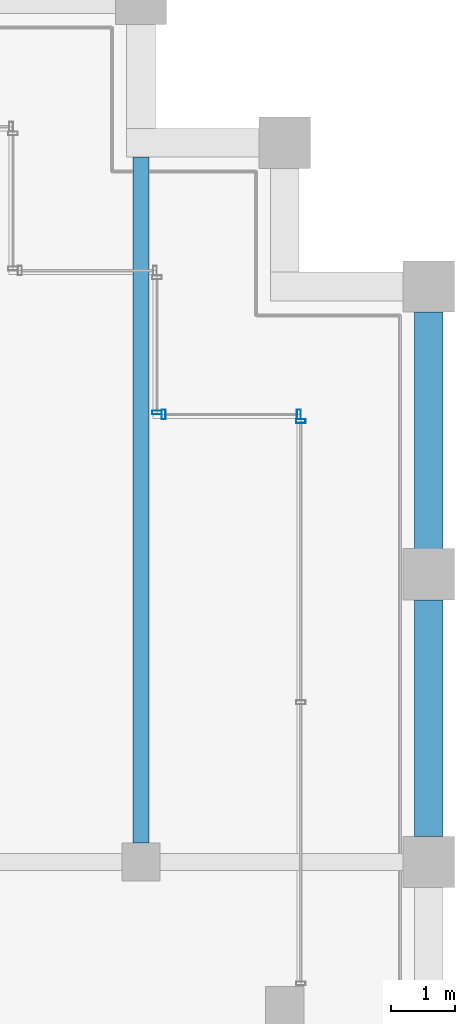
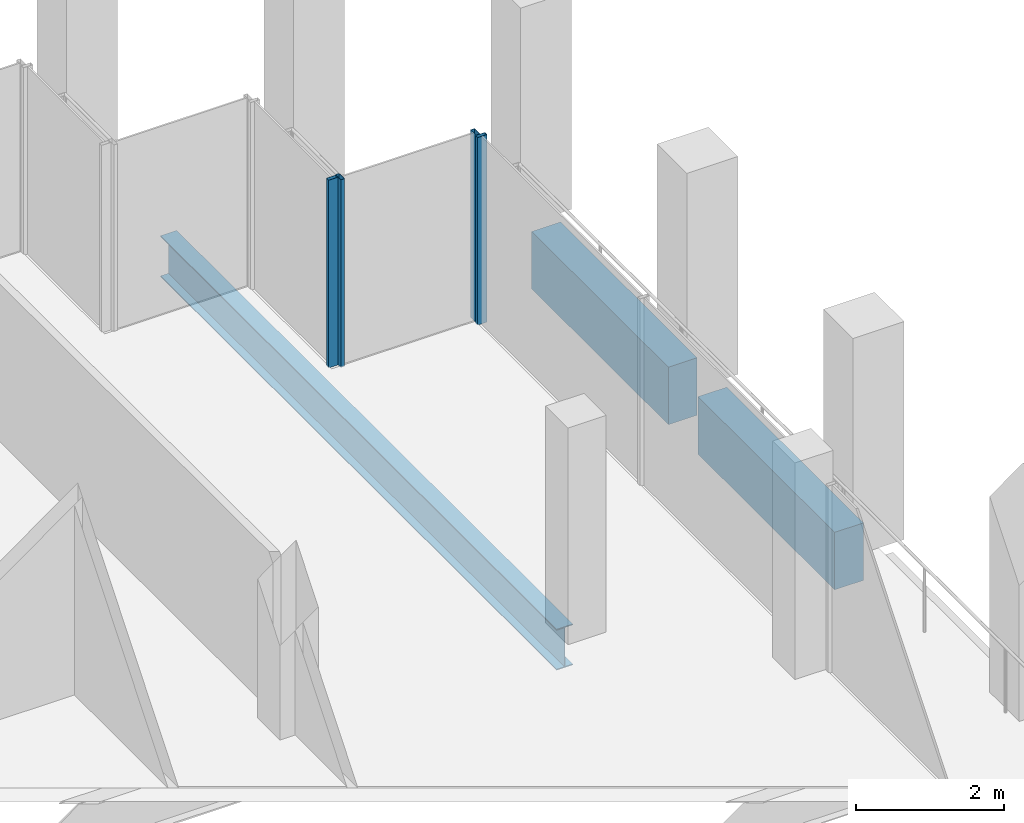
# One storey, part 25 of 30: 4 members, 3 beams, 3 elements without a shape of their own.
"""IFC4 building model written with IfcOpenShell, lengths in metres."""

from ifc_helpers import new_model, si_unit, direction, frame, origin, origin_2d, place, context, subcontext, project, spatial, rectangle, hollow_rectangle, i_section, extrude, material, material_profile, profile_set, type_object, element, aggregate, save


model = new_model("IFC4")

# Units and contexts
model_context = context("Model", 3, precision=1e-05, world=origin(), true_north=direction((0.0, 1.0)))
body_context = subcontext(model_context, "Body", "Model", "MODEL_VIEW")
ifc_project = project(units=[si_unit("LENGTHUNIT", "METRE"), si_unit("AREAUNIT", "SQUARE_METRE"), si_unit("VOLUMEUNIT", "CUBIC_METRE"), si_unit("PLANEANGLEUNIT", "RADIAN"), si_unit("MASSUNIT", "GRAM", prefix="KILO")], contexts=[model_context])

# Site, building, storey
site_placement = place(None, origin())
site = spatial("IfcSite", under=ifc_project, at=site_placement, CompositionType="ELEMENT")
building_placement = place(site_placement, origin())
building = spatial("IfcBuilding", under=site, at=building_placement, Name="Altepetl Exchange Towers", CompositionType="ELEMENT")
storey_placement = place(building_placement, frame((0.0, 0.0, 242.39990234375)))
storey = spatial("IfcBuildingStorey", under=building, at=storey_placement, Name="L62", CompositionType="ELEMENT", Elevation=242.39990234375)

# Beam
ifc_material_1 = material(Name="Steel S355", Category="steel")
ifc_material_profile_1 = material_profile(ifc_material_1, i_section(OverallWidth=0.2529296875, OverallDepth=0.677978515625, WebThickness=0.01171875, FlangeThickness=0.016357421875, at=origin_2d()), Name="W27X84")
ifc_profile_set_1 = profile_set([ifc_material_profile_1], Name="Steel S355")
beam_type_1 = type_object("IfcBeamType", Name="Floor beam W27X84", PredefinedType="BEAM", material=ifc_profile_set_1)
beam_placement = place(storey_placement, frame((67.5, 58.800048828125, -0.489013671875), z_axis=(0.0, 1.0, 0.0), x_axis=(-1.0, 0.0, 0.0)))
element("IfcBeam", 1, at=beam_placement, inside=storey, type_object=beam_type_1, Name="bm:A:L62:005", PredefinedType="BEAM", context=body_context, shape_type="SweptSolid", body=[
    extrude(i_section(OverallWidth=0.2529296875, OverallDepth=0.677978515625, WebThickness=0.01171875, FlangeThickness=0.016357421875, at=origin_2d()), origin(), (0.0, 0.0, 1.0), 10.724853515625),
])

# Curtain wall, member
ifc_material_2 = material(Name="Aluminium 6063-T6 glazing", Category="aluminium")
curtain_wall_type = type_object("IfcCurtainWallType", Name="Loggia glazing system", PredefinedType="NOTDEFINED", material=ifc_material_2)
curtain_wall_1_placement = place(storey_placement, origin())
curtain_wall_1 = element("IfcCurtainWall", 2, at=curtain_wall_1_placement, inside=storey, type_object=curtain_wall_type, Name="CW1 run", PredefinedType="NOTDEFINED")
ifc_material_3 = material(Name="Aluminium 6063-T6", Category="aluminium")
ifc_material_profile_2 = material_profile(ifc_material_3, hollow_rectangle(XDim=0.06005859375, YDim=0.14990234375, WallThickness=0.0029296875, at=origin_2d()), Name="Mullion 60x150 aluminium")
ifc_profile_set_2 = profile_set([ifc_material_profile_2], Name="Aluminium 6063-T6")
member_type = type_object("IfcMemberType", Name="Mullion 60x150 aluminium", PredefinedType="MULLION", material=ifc_profile_set_2)
member_1_placement = place(storey_placement, frame((70.0, 65.39501953125, 0.0), z_axis=(0.0, 0.0, 1.0), x_axis=(0.0, 1.0, 0.0)))
member_1 = element("IfcMember", 3, at=member_1_placement, type_object=member_type, Name="MU1 mullion", PredefinedType="MULLION", context=body_context, shape_type="SweptSolid", body=[
    extrude(hollow_rectangle(XDim=0.06005859375, YDim=0.14990234375, WallThickness=0.0029296875, at=origin_2d()), origin(), (0.0, 0.0, 1.0), 3.10009765625),
])
aggregate(curtain_wall_1, [member_1])

# Curtain wall, members
curtain_wall_2_placement = place(storey_placement, origin())
curtain_wall_2 = element("IfcCurtainWall", 4, at=curtain_wall_2_placement, inside=storey, type_object=curtain_wall_type, Name="CW1 run", PredefinedType="NOTDEFINED")
member_2_placement = place(storey_placement, frame((69.969970703125, 65.5, 0.0), z_axis=(0.0, 0.0, 1.0), x_axis=(-1.0, 0.0, 0.0)))
member_2 = element("IfcMember", 5, at=member_2_placement, type_object=member_type, Name="MU1 mullion", PredefinedType="MULLION", context=body_context, shape_type="SweptSolid", body=[
    extrude(hollow_rectangle(XDim=0.06005859375, YDim=0.14990234375, WallThickness=0.0029296875, at=origin_2d()), origin(), (0.0, 0.0, 1.0), 3.10009765625),
])
member_3_placement = place(storey_placement, frame((67.85498046875, 65.5, 0.0), z_axis=(0.0, 0.0, 1.0), x_axis=(-1.0, 0.0, 0.0)))
member_3 = element("IfcMember", 6, at=member_3_placement, type_object=member_type, Name="MU1 mullion", PredefinedType="MULLION", context=body_context, shape_type="SweptSolid", body=[
    extrude(hollow_rectangle(XDim=0.06005859375, YDim=0.14990234375, WallThickness=0.0029296875, at=origin_2d()), origin(), (0.0, 0.0, 1.0), 3.10009765625),
])
aggregate(curtain_wall_2, [member_2, member_3])

# Curtain wall, member
curtain_wall_3_placement = place(storey_placement, origin())
curtain_wall_3 = element("IfcCurtainWall", 7, at=curtain_wall_3_placement, inside=storey, type_object=curtain_wall_type, Name="CW1 run", PredefinedType="NOTDEFINED")
member_4_placement = place(storey_placement, frame((67.75, 65.530029296875, 0.0), z_axis=(0.0, 0.0, 1.0), x_axis=(0.0, 1.0, 0.0)))
member_4 = element("IfcMember", 8, at=member_4_placement, type_object=member_type, Name="MU1 mullion", PredefinedType="MULLION", context=body_context, shape_type="SweptSolid", body=[
    extrude(hollow_rectangle(XDim=0.06005859375, YDim=0.14990234375, WallThickness=0.0029296875, at=origin_2d()), origin(), (0.0, 0.0, 1.0), 3.10009765625),
])
aggregate(curtain_wall_3, [member_4])

# Beams
ifc_material_4 = material(Name="Concrete C50/60 precast with cantera rosa facing", Category="concrete")
ifc_material_profile_3 = material_profile(ifc_material_4, rectangle(XDim=0.449951171875, YDim=0.949951171875, at=origin_2d()), Name="450 x 950")
ifc_profile_set_3 = profile_set([ifc_material_profile_3], Name="Concrete C50/60 precast with cantera rosa facing")
beam_type_2 = type_object("IfcBeamType", Name="Spandrel beam 450x950 cantera rosa", PredefinedType="SPANDREL", material=ifc_profile_set_3)
for number, where, z_axis, x_axis, name in (
    (9, (72.0, 58.89990234375, -0.625), (0.0, 1.0, 0.0), (-1.0, 0.0, 0.0), "sp:A:L62:018"),
    (10, (72.0, 63.39990234375, -0.625), (0.0, 1.0, 0.0), (-1.0, 0.0, 0.0), "sp:A:L62:019"),
):
    element("IfcBeam", number, at=place(storey_placement, frame(where, z_axis=z_axis, x_axis=x_axis)), inside=storey, type_object=beam_type_2, Name=name, PredefinedType="SPANDREL", context=body_context, shape_type="SweptSolid", body=[
        extrude(rectangle(XDim=0.449951171875, YDim=0.949951171875, at=origin_2d()), origin(), (0.0, 0.0, 1.0), 3.7001953125),
    ])

save(model, "model.ifc")
